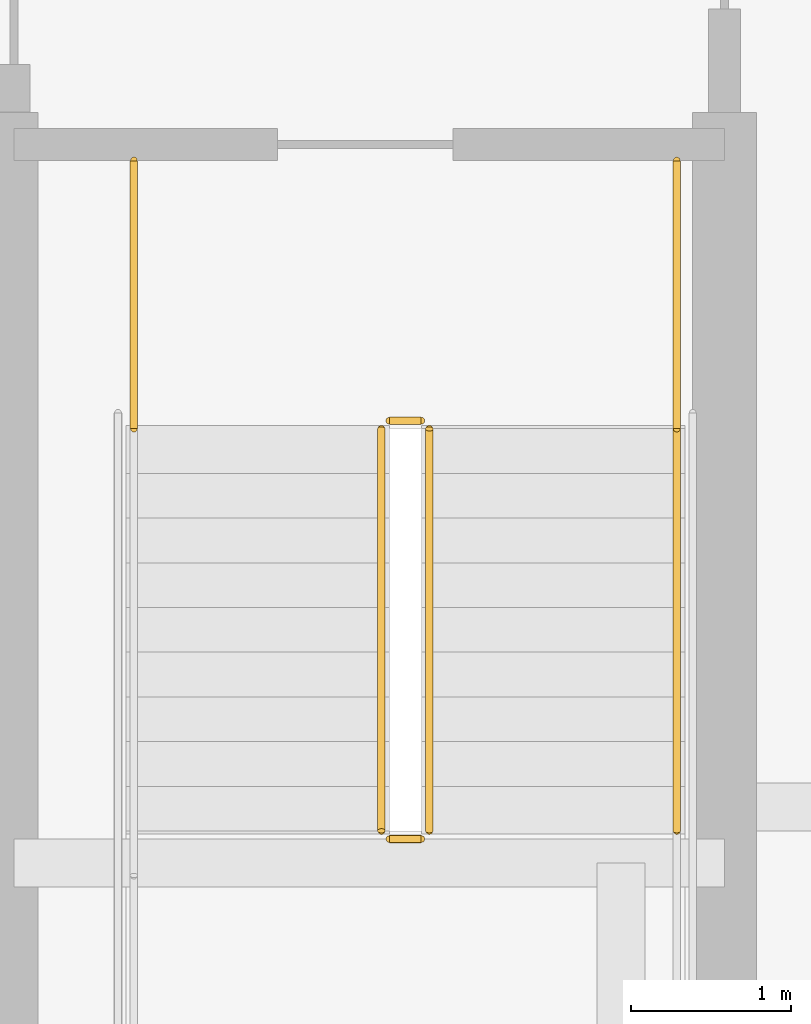
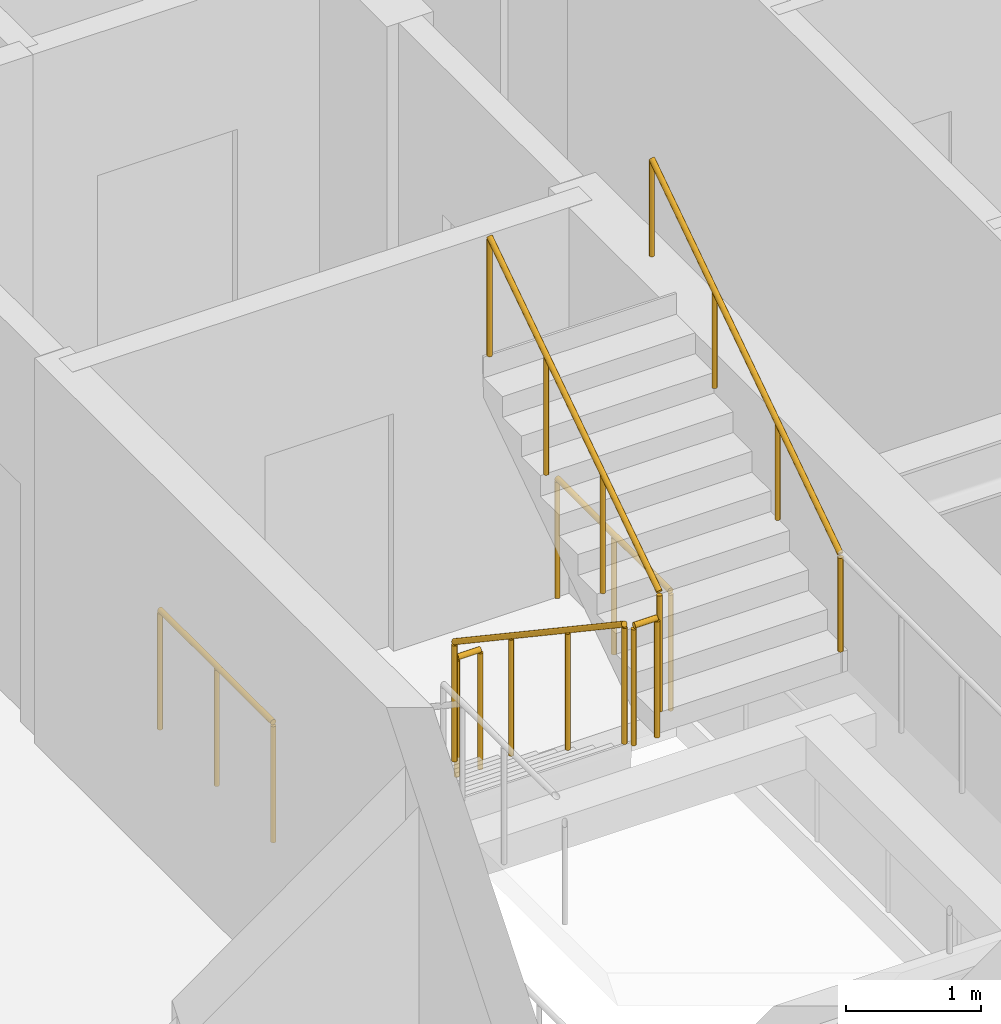
# One storey, part 37 of 39: 7 railings.
"""IFC4 building model written with IfcOpenShell, lengths in metres."""

from ifc_helpers import new_model, si_unit, direction, frame, origin, origin_2d, place, context, subcontext, project, spatial, circle, extrude, material, type_object, element, save


model = new_model("IFC4")

# Units and contexts
model_context = context("Model", 3, precision=1e-05, world=origin(), true_north=direction((0.0, 1.0)))
body_context = subcontext(model_context, "Body", "Model", "MODEL_VIEW")
ifc_project = project(units=[si_unit("LENGTHUNIT", "METRE"), si_unit("AREAUNIT", "SQUARE_METRE"), si_unit("VOLUMEUNIT", "CUBIC_METRE"), si_unit("PLANEANGLEUNIT", "RADIAN"), si_unit("MASSUNIT", "GRAM", prefix="KILO")], contexts=[model_context])

# Site, building, storey
site_placement = place(None, origin())
site = spatial("IfcSite", under=ifc_project, at=site_placement, CompositionType="ELEMENT")
building_placement = place(site_placement, origin())
building = spatial("IfcBuilding", under=site, at=building_placement, Name="Serunith Strait Residences", CompositionType="ELEMENT")
storey_placement = place(building_placement, frame((0.0, 0.0, 168.89990234375)))
storey = spatial("IfcBuildingStorey", under=building, at=storey_placement, Name="L42", CompositionType="ELEMENT", Elevation=168.89990234375)

# Railings
ifc_material = material(Name="Brushed stainless steel 316L", Category="steel")
railing_type_1 = type_object("IfcRailingType", Name="RLG-STAIR-GUARD", PredefinedType="BALUSTRADE", material=ifc_material)
railing_1_placement = place(storey_placement, frame((39.25, 23.3701171875, 0.1875)))
element("IfcRailing", 1, at=railing_1_placement, inside=storey, type_object=railing_type_1, Name="L42 ST-2 stair guard 1", PredefinedType="BALUSTRADE", context=body_context, shape_type="SweptSolid", body=[
    extrude(circle(Radius=0.02392578125, at=origin_2d()), frame((0.0, -0.001708984375, 1.0771484375), z_axis=(0.0, -0.830909170722, 0.55640807867), x_axis=(1.0, 0.0, 0.0)), (0.0, 0.0, 1.0), 3.02880859375),
    extrude(circle(Radius=0.02099609375, at=origin_2d()), origin(), (0.0, 0.0, 1.0), 1.050048828125),
    extrude(circle(Radius=0.02099609375, at=origin_2d()), frame((0.0, -0.840087890625, 0.5625)), (0.0, 0.0, 1.0), 1.050048828125),
    extrude(circle(Radius=0.02099609375, at=origin_2d()), frame((0.0, -1.679931640625, 1.125)), (0.0, 0.0, 1.0), 1.050048828125),
    extrude(circle(Radius=0.02099609375, at=origin_2d()), frame((0.0, -2.52001953125, 1.6875)), (0.0, 0.0, 1.0), 1.050048828125),
])
railing_2_placement = place(storey_placement, frame((39.300048828125, 20.800048828125, 1.875)))
element("IfcRailing", 2, at=railing_2_placement, inside=storey, type_object=railing_type_1, Name="L42 ST-2 stair guard 2", PredefinedType="BALUSTRADE", context=body_context, shape_type="SweptSolid", body=[
    extrude(circle(Radius=0.02392578125, at=origin_2d()), frame((0.001953125, 0.0, 1.076171875), z_axis=(1.0, 0.0, 0.0), x_axis=(0.0, 1.0, 0.0)), (0.0, 0.0, 1.0), 0.196044921875),
    extrude(circle(Radius=0.02099609375, at=origin_2d()), origin(), (0.0, 0.0, 1.0), 1.050048828125),
    extrude(circle(Radius=0.02099609375, at=origin_2d()), frame((0.199951171875, 0.0, 0.0)), (0.0, 0.0, 1.0), 1.050048828125),
])
railing_3_placement = place(storey_placement, frame((39.550048828125, 20.85009765625, 2.0625)))
element("IfcRailing", 3, at=railing_3_placement, inside=storey, type_object=railing_type_1, Name="L42 ST-2 stair guard 6", PredefinedType="BALUSTRADE", context=body_context, shape_type="SweptSolid", body=[
    extrude(circle(Radius=0.02392578125, at=origin_2d()), frame((0.0, 0.001708984375, 1.0771484375), z_axis=(0.0, 0.830909170722, 0.55640807867), x_axis=(-1.0, 0.0, 0.0)), (0.0, 0.0, 1.0), 3.02880859375),
    extrude(circle(Radius=0.02099609375, at=origin_2d()), origin(), (0.0, 0.0, 1.0), 1.050048828125),
    extrude(circle(Radius=0.02099609375, at=origin_2d()), frame((0.0, 0.840087890625, 0.5625)), (0.0, 0.0, 1.0), 1.050048828125),
    extrude(circle(Radius=0.02099609375, at=origin_2d()), frame((0.0, 1.679931640625, 1.125)), (0.0, 0.0, 1.0), 1.050048828125),
    extrude(circle(Radius=0.02099609375, at=origin_2d()), frame((0.0, 2.52001953125, 1.6875)), (0.0, 0.0, 1.0), 1.050048828125),
])
railing_4_placement = place(storey_placement, frame((39.300048828125, 23.419921875, 0.0)))
element("IfcRailing", 4, at=railing_4_placement, inside=storey, type_object=railing_type_1, Name="L42 ST-2 stair guard 7", PredefinedType="BALUSTRADE", context=body_context, shape_type="SweptSolid", body=[
    extrude(circle(Radius=0.02392578125, at=origin_2d()), frame((0.001953125, 0.0, 1.076171875), z_axis=(1.0, 0.0, 0.0), x_axis=(0.0, 1.0, 0.0)), (0.0, 0.0, 1.0), 0.196044921875),
    extrude(circle(Radius=0.02099609375, at=origin_2d()), origin(), (0.0, 0.0, 1.0), 1.050048828125),
    extrude(circle(Radius=0.02099609375, at=origin_2d()), frame((0.199951171875, 0.0, 0.0)), (0.0, 0.0, 1.0), 1.050048828125),
])
for number, where, name in (
    (5, (37.699951171875, 25.050048828125, 0.0), "L42 ST-2 stair guard 8"),
    (6, (41.10009765625, 25.050048828125, 0.0), "L42 ST-2 stair guard 9"),
):
    element("IfcRailing", number, at=place(storey_placement, frame(where)), inside=storey, type_object=railing_type_1, Name=name, PredefinedType="BALUSTRADE", context=body_context, shape_type="SweptSolid", body=[
        extrude(circle(Radius=0.02392578125, at=origin_2d()), frame((0.0, -0.001953125, 1.076171875), z_axis=(0.0, -1.0, 0.0), x_axis=(1.0, 0.0, 0.0)), (0.0, 0.0, 1.0), 1.676025390625),
        extrude(circle(Radius=0.02099609375, at=origin_2d()), origin(), (0.0, 0.0, 1.0), 1.050048828125),
        extrude(circle(Radius=0.02099609375, at=origin_2d()), frame((0.0, -0.83984375, 0.0)), (0.0, 0.0, 1.0), 1.050048828125),
        extrude(circle(Radius=0.02099609375, at=origin_2d()), frame((0.0, -1.679931640625, 0.0)), (0.0, 0.0, 1.0), 1.050048828125),
    ])
railing_type_2 = type_object("IfcRailingType", Name="RLG-STAIR-HR", PredefinedType="HANDRAIL", material=ifc_material)
railing_5_placement = place(storey_placement, frame((41.10009765625, 20.85009765625, 2.0625)))
element("IfcRailing", 7, at=railing_5_placement, inside=storey, type_object=railing_type_2, Name="L42 ST-2 stair handrail 2", PredefinedType="HANDRAIL", context=body_context, shape_type="SweptSolid", body=[
    extrude(circle(Radius=0.02392578125, at=origin_2d()), frame((0.0, 0.001708984375, 0.876953125), z_axis=(0.0, 0.830185712471, 0.557486935101), x_axis=(-1.0, 0.0, 0.0)), (0.0, 0.0, 1.0), 3.368408203125),
    extrude(circle(Radius=0.02099609375, at=origin_2d()), origin(), (0.0, 0.0, 1.0), 0.849853515625),
    extrude(circle(Radius=0.02099609375, at=origin_2d()), frame((0.0, 0.933349609375, 0.626708984375)), (0.0, 0.0, 1.0), 0.849853515625),
    extrude(circle(Radius=0.02099609375, at=origin_2d()), frame((0.0, 1.866455078125, 1.25341796875)), (0.0, 0.0, 1.0), 0.849853515625),
    extrude(circle(Radius=0.02099609375, at=origin_2d()), frame((0.0, 2.7998046875, 1.880126953125)), (0.0, 0.0, 1.0), 0.849853515625),
])

save(model, "model.ifc")
